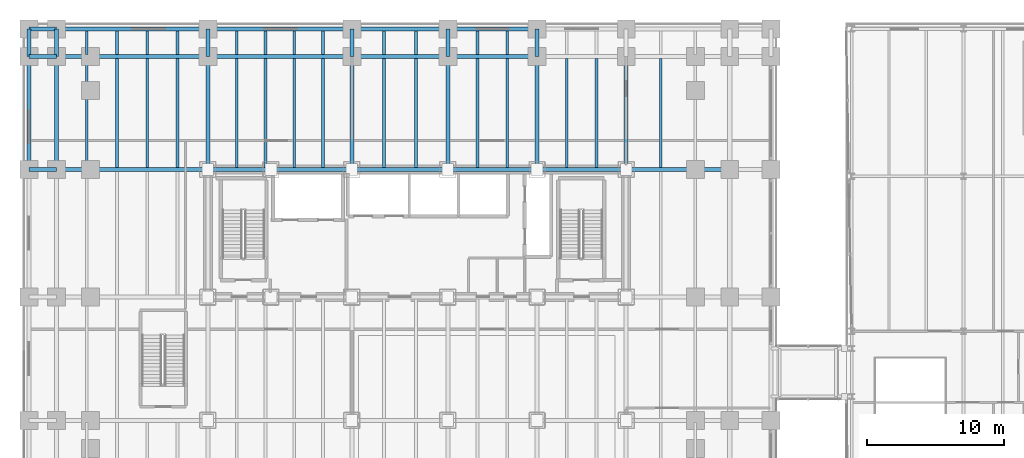
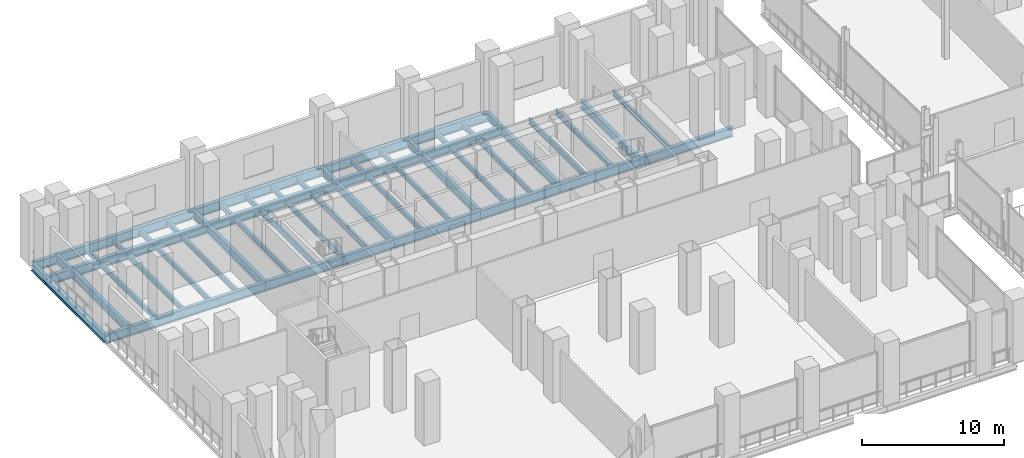
# One storey, part 17 of 31: 57 beams.
"""IFC4 building model written with IfcOpenShell, lengths in metres."""

import ifcopenshell
import ifcopenshell.guid

model = None  # the IFC model being written
_history = None  # IfcOwnerHistory: only IFC2X3 demands one
_inside = {}  # id of a spatial element -> (the spatial element, [elements in it])
_under = {}  # id of a project, library or spatial element -> (it, [spatial elements below it])
_declared = {}  # id of a project -> (the project, [libraries it declares])
_typed = {}  # id of a type object -> (the type object, [elements of that type])
_made_of = {}  # id of a material, layer set ... -> (it, [elements and type objects made of it])


def new_model(schema):
    """Start an empty IFC model of exactly this schema.

    Asked for "IFC4X3", IfcOpenShell would pick the latest addendum, in which some entities
    have other attributes; the version numbers below select the first issue.
    IFC2X3 requires an IfcOwnerHistory on every rooted entity: one is made here for all.
    """
    global model, _history
    if schema == "IFC4X3":
        model = ifcopenshell.file(schema_version=(4, 3, 0, 0))
    else:
        model = ifcopenshell.file(schema=schema)
    _inside.clear()
    _under.clear()
    _declared.clear()
    _typed.clear()
    _made_of.clear()
    _history = None
    if model.schema == "IFC2X3":
        org = make("IfcOrganization", Name="unknown")
        user = make(
            "IfcPersonAndOrganization",
            ThePerson=make("IfcPerson", FamilyName="unknown"),
            TheOrganization=org,
        )
        app = make(
            "IfcApplication",
            ApplicationDeveloper=org,
            Version="unknown",
            ApplicationFullName="unknown",
            ApplicationIdentifier="unknown",
        )
        _history = make(
            "IfcOwnerHistory",
            OwningUser=user,
            OwningApplication=app,
            ChangeAction="ADDED",
            CreationDate=0,
        )
    return model


def make(cls, **values):
    """One entity of the class cls with the attributes given. An attribute that is None is left unset."""
    return model.create_entity(
        cls, **{name: value for name, value in values.items() if value is not None}
    )


def rooted(cls, **values):
    """An entity with a GlobalId (a new one), such as an element, a storey or a relation."""
    return make(cls, GlobalId=ifcopenshell.guid.new(), OwnerHistory=_history, **values)


def si_unit(unit_type, name, prefix=None):
    """IfcSIUnit, for example si_unit("LENGTHUNIT", "METRE", prefix="MILLI")."""
    return make("IfcSIUnit", UnitType=unit_type, Prefix=prefix, Name=name)


def assignment(units):
    """IfcUnitAssignment: the units of a project."""
    return None if units is None else make("IfcUnitAssignment", Units=units)


def point(xyz):
    """IfcCartesianPoint."""
    return None if xyz is None else make("IfcCartesianPoint", Coordinates=xyz)


def direction(xyz):
    """IfcDirection."""
    return None if xyz is None else make("IfcDirection", DirectionRatios=xyz)


def frame(location, z_axis=None, x_axis=None):
    """IfcAxis2Placement3D, a coordinate frame: its origin and axes. An axis left out is left unset."""
    return make(
        "IfcAxis2Placement3D",
        Location=point(location),
        Axis=direction(z_axis),
        RefDirection=direction(x_axis),
    )


def frame_2d(location, x_axis=None):
    """IfcAxis2Placement2D, a coordinate frame in the plane: its origin and x axis."""
    return make(
        "IfcAxis2Placement2D", Location=point(location), RefDirection=direction(x_axis)
    )


def origin():
    """The frame at (0, 0, 0) with its axes left unset."""
    return frame((0.0, 0.0, 0.0))


def origin_2d():
    """The frame at (0, 0) in the plane with its x axis left unset."""
    return frame_2d((0.0, 0.0))


def place(relative_to, where):
    """IfcLocalPlacement: puts the frame where relative to a parent placement (None: the world)."""
    return make(
        "IfcLocalPlacement", PlacementRelTo=relative_to, RelativePlacement=where
    )


def context(
    kind, dimensions, precision=None, world=None, true_north=None, identifier=None
):
    """IfcGeometricRepresentationContext, for example the 3D "Model" context."""
    return make(
        "IfcGeometricRepresentationContext",
        ContextIdentifier=identifier,
        ContextType=kind,
        CoordinateSpaceDimension=dimensions,
        Precision=precision,
        WorldCoordinateSystem=world,
        TrueNorth=true_north,
    )


def subcontext(parent, identifier, kind, view, scale=None):
    """IfcGeometricRepresentationSubContext, for example "Body" below "Model"."""
    return make(
        "IfcGeometricRepresentationSubContext",
        ContextIdentifier=identifier,
        ContextType=kind,
        ParentContext=parent,
        TargetScale=scale,
        TargetView=view,
    )


def project(units=None, contexts=None):
    """IfcProject with its units and contexts."""
    return rooted(
        "IfcProject",
        Name="project",
        RepresentationContexts=contexts,
        UnitsInContext=assignment(units),
    )


def spatial(cls, under=None, at=None, **own):
    """A site, building, storey or space (cls), placed at a placement, below another one or the project."""
    s = rooted(cls, ObjectPlacement=at, **own)
    if under is not None:
        _under.setdefault(under.id(), (under, []))[1].append(s)
    return s


def profile(cls, at=None, kind="AREA", **sizes):
    """A parametric profile (cls). Its sizes go by their IFC names, for example OverallWidth=200.0."""
    return make(cls, ProfileType=kind, Position=at, **sizes)


def i_section(**sizes):
    """IfcIShapeProfileDef."""
    return profile("IfcIShapeProfileDef", **sizes)


def extrude(swept, where, along, depth):
    """IfcExtrudedAreaSolid: the profile swept, set in the frame where, extruded along a direction by depth."""
    return make(
        "IfcExtrudedAreaSolid",
        SweptArea=swept,
        Position=where,
        ExtrudedDirection=direction(along),
        Depth=depth,
    )


def shape(context_of_items, identifier, shape_type, items):
    """IfcShapeRepresentation: the items that make up one representation, for example the "Body"."""
    return make(
        "IfcShapeRepresentation",
        ContextOfItems=context_of_items,
        RepresentationIdentifier=identifier,
        RepresentationType=shape_type,
        Items=items,
    )


def material(Name=None, Category=None):
    """IfcMaterial."""
    return make("IfcMaterial", Name=Name, Category=Category)


def material_profile(
    of_material, cross_section, Name=None, Category=None, Priority=None
):
    """IfcMaterialProfile: a cross section and its material."""
    return make(
        "IfcMaterialProfile",
        Name=Name,
        Material=of_material,
        Profile=cross_section,
        Priority=Priority,
        Category=Category,
    )


def profile_set(profiles, Name=None, composite=None):
    """IfcMaterialProfileSet."""
    return make(
        "IfcMaterialProfileSet",
        Name=Name,
        MaterialProfiles=profiles,
        CompositeProfile=composite,
    )


def made_of(thing, what):
    """Note that an element or type object is made of a material, layer set ...; save() writes the relation."""
    if what is not None:
        _made_of.setdefault(what.id(), (what, []))[1].append(thing)
    return thing


def type_object(cls, material=None, **own):
    """A type object (cls), such as IfcWallType, which elements share."""
    return made_of(rooted(cls, **own), material)


def element(
    cls,
    number,
    at=None,
    inside=None,
    cuts=None,
    type_object=None,
    material=None,
    context=None,
    identifier="Body",
    shape_type=None,
    held_by="IfcProductDefinitionShape",
    body=None,
    shapes=None,
    **own,
):
    """One element of the class cls, such as IfcWall. Its Tag is "e" and its number.

    at: its placement. inside: the storey or other place that contains it. cuts: it is an
    opening in that element (IfcRelVoidsElement). A single representation is given by context,
    identifier, shape_type and body (its items); several are given by shapes. held_by: the class
    of the entity that holds the representations. save() writes the other relations.
    """
    e = rooted(cls, Tag="e%d" % number, ObjectPlacement=at, **own)
    if body is not None:
        shapes = [shape(context, identifier, shape_type, body)]
    if shapes is not None:
        e.Representation = make(held_by, Representations=shapes)
    if inside is not None:
        _inside.setdefault(inside.id(), (inside, []))[1].append(e)
    if cuts is not None:
        rooted(
            "IfcRelVoidsElement", RelatingBuildingElement=cuts, RelatedOpeningElement=e
        )
    if type_object is not None:
        _typed.setdefault(type_object.id(), (type_object, []))[1].append(e)
    return made_of(e, material)


def aggregate(whole, parts):
    """IfcRelAggregates: a whole, such as a stair, and the parts it consists of."""
    return rooted("IfcRelAggregates", RelatingObject=whole, RelatedObjects=parts)


def save(model, path):
    """Write the relations noted so far, then the file.

    IfcRelAggregates (storeys below a building ...), IfcRelContainedInSpatialStructure (elements
    in a storey), IfcRelDefinesByType, IfcRelAssociatesMaterial and IfcRelDeclares: one each for
    every whole, place, type object, material and project.
    """
    for whole, parts in _under.values():
        aggregate(whole, parts)
    for where, things in _inside.values():
        rooted(
            "IfcRelContainedInSpatialStructure",
            RelatedElements=things,
            RelatingStructure=where,
        )
    for kind, things in _typed.values():
        rooted("IfcRelDefinesByType", RelatedObjects=things, RelatingType=kind)
    for what, things in _made_of.values():
        rooted("IfcRelAssociatesMaterial", RelatedObjects=things, RelatingMaterial=what)
    for by, libraries in _declared.values():
        rooted("IfcRelDeclares", RelatingContext=by, RelatedDefinitions=libraries)
    model.write(path)


model = new_model("IFC4")

# Units and contexts
model_context = context("Model", 3, precision=1e-05, world=origin(), true_north=direction((0.0, 1.0)))
body_context = subcontext(model_context, "Body", "Model", "MODEL_VIEW")
ifc_project = project(units=[si_unit("LENGTHUNIT", "METRE"), si_unit("AREAUNIT", "SQUARE_METRE"), si_unit("VOLUMEUNIT", "CUBIC_METRE"), si_unit("PLANEANGLEUNIT", "RADIAN"), si_unit("MASSUNIT", "GRAM", prefix="KILO")], contexts=[model_context])

# Site, building, storey
site_placement = place(None, origin())
site = spatial("IfcSite", under=ifc_project, at=site_placement, CompositionType="ELEMENT")
building_placement = place(site_placement, origin())
building = spatial("IfcBuilding", under=site, at=building_placement, Name="Noeulbin Bourse Tower", CompositionType="ELEMENT")
storey_placement = place(building_placement, frame((0.0, 0.0, 11.199951171875)))
storey = spatial("IfcBuildingStorey", under=building, at=storey_placement, Name="L03", CompositionType="ELEMENT", Elevation=11.199951171875)

# Beams
ifc_material = material(Name="Steel S355", Category="steel")
ifc_material_profile_1 = material_profile(ifc_material, i_section(OverallWidth=0.300048828125, OverallDepth=0.699951171875, WebThickness=0.012939453125, FlangeThickness=0.02392578125, FilletRadius=0.02392578125, at=origin_2d()), Name="H-700x300x13x24", Category="LoadBearing")
ifc_profile_set_1 = profile_set([ifc_material_profile_1], Name="Steel S355")
beam_type_1 = type_object("IfcBeamType", Name="BM-GRD-700", PredefinedType="USERDEFINED", material=ifc_profile_set_1)
beam_1_placement = place(storey_placement, frame((0.449951171875, 38.300048828125, -0.599853515625), z_axis=(0.0, 1.0, 0.0), x_axis=(-1.0, 0.0, 0.0)))
element("IfcBeam", 1, at=beam_1_placement, inside=storey, type_object=beam_type_1, Name="Podium Primary Girder NS L03-061", ObjectType="GIRDER", PredefinedType="USERDEFINED", context=body_context, shape_type="SweptSolid", body=[
    extrude(i_section(OverallWidth=0.300048828125, OverallDepth=0.699951171875, WebThickness=0.012939453125, FlangeThickness=0.02392578125, FilletRadius=0.02392578125, at=origin_2d()), origin(), (0.0, 0.0, 1.0), 8.25),
])
beam_2_placement = place(storey_placement, frame((0.449951171875, 46.550048828125, -0.599853515625), z_axis=(0.0, 1.0, 0.0), x_axis=(-1.0, 0.0, 0.0)))
element("IfcBeam", 2, at=beam_2_placement, inside=storey, type_object=beam_type_1, Name="Podium Primary Girder NS L03-062", ObjectType="GIRDER", PredefinedType="USERDEFINED", context=body_context, shape_type="SweptSolid", body=[
    extrude(i_section(OverallWidth=0.300048828125, OverallDepth=0.699951171875, WebThickness=0.012939453125, FlangeThickness=0.02392578125, FilletRadius=0.02392578125, at=origin_2d()), origin(), (0.0, 0.0, 1.0), 2.0),
])
beam_3_placement = place(storey_placement, frame((2.449951171875, 38.300048828125, -0.599853515625), z_axis=(0.0, 1.0, 0.0), x_axis=(-1.0, 0.0, 0.0)))
element("IfcBeam", 3, at=beam_3_placement, inside=storey, type_object=beam_type_1, Name="Podium Primary Girder NS L03-067", ObjectType="GIRDER", PredefinedType="USERDEFINED", context=body_context, shape_type="SweptSolid", body=[
    extrude(i_section(OverallWidth=0.300048828125, OverallDepth=0.699951171875, WebThickness=0.012939453125, FlangeThickness=0.02392578125, FilletRadius=0.02392578125, at=origin_2d()), origin(), (0.0, 0.0, 1.0), 8.25),
])
beam_4_placement = place(storey_placement, frame((2.449951171875, 46.550048828125, -0.599853515625), z_axis=(0.0, 1.0, 0.0), x_axis=(-1.0, 0.0, 0.0)))
element("IfcBeam", 4, at=beam_4_placement, inside=storey, type_object=beam_type_1, Name="Podium Primary Girder NS L03-068", ObjectType="GIRDER", PredefinedType="USERDEFINED", context=body_context, shape_type="SweptSolid", body=[
    extrude(i_section(OverallWidth=0.300048828125, OverallDepth=0.699951171875, WebThickness=0.012939453125, FlangeThickness=0.02392578125, FilletRadius=0.02392578125, at=origin_2d()), origin(), (0.0, 0.0, 1.0), 2.0),
])
beam_5_placement = place(storey_placement, frame((13.5, 38.300048828125, -0.599853515625), z_axis=(0.0, 1.0, 0.0), x_axis=(-1.0, 0.0, 0.0)))
element("IfcBeam", 5, at=beam_5_placement, inside=storey, type_object=beam_type_1, Name="Podium Primary Girder NS L03-073", ObjectType="GIRDER", PredefinedType="USERDEFINED", context=body_context, shape_type="SweptSolid", body=[
    extrude(i_section(OverallWidth=0.300048828125, OverallDepth=0.699951171875, WebThickness=0.012939453125, FlangeThickness=0.02392578125, FilletRadius=0.02392578125, at=origin_2d()), origin(), (0.0, 0.0, 1.0), 8.25),
])
beam_6_placement = place(storey_placement, frame((13.5, 46.550048828125, -0.599853515625), z_axis=(0.0, 1.0, 0.0), x_axis=(-1.0, 0.0, 0.0)))
element("IfcBeam", 6, at=beam_6_placement, inside=storey, type_object=beam_type_1, Name="Podium Primary Girder NS L03-074", ObjectType="GIRDER", PredefinedType="USERDEFINED", context=body_context, shape_type="SweptSolid", body=[
    extrude(i_section(OverallWidth=0.300048828125, OverallDepth=0.699951171875, WebThickness=0.012939453125, FlangeThickness=0.02392578125, FilletRadius=0.02392578125, at=origin_2d()), origin(), (0.0, 0.0, 1.0), 2.0),
])
beam_7_placement = place(storey_placement, frame((24.0, 38.300048828125, -0.599853515625), z_axis=(0.0, 1.0, 0.0), x_axis=(-1.0, 0.0, 0.0)))
element("IfcBeam", 7, at=beam_7_placement, inside=storey, type_object=beam_type_1, Name="Podium Primary Girder NS L03-078", ObjectType="GIRDER", PredefinedType="USERDEFINED", context=body_context, shape_type="SweptSolid", body=[
    extrude(i_section(OverallWidth=0.300048828125, OverallDepth=0.699951171875, WebThickness=0.012939453125, FlangeThickness=0.02392578125, FilletRadius=0.02392578125, at=origin_2d()), origin(), (0.0, 0.0, 1.0), 8.25),
])
beam_8_placement = place(storey_placement, frame((24.0, 46.550048828125, -0.599853515625), z_axis=(0.0, 1.0, 0.0), x_axis=(-1.0, 0.0, 0.0)))
element("IfcBeam", 8, at=beam_8_placement, inside=storey, type_object=beam_type_1, Name="Podium Primary Girder NS L03-079", ObjectType="GIRDER", PredefinedType="USERDEFINED", context=body_context, shape_type="SweptSolid", body=[
    extrude(i_section(OverallWidth=0.300048828125, OverallDepth=0.699951171875, WebThickness=0.012939453125, FlangeThickness=0.02392578125, FilletRadius=0.02392578125, at=origin_2d()), origin(), (0.0, 0.0, 1.0), 2.0),
])
beam_9_placement = place(storey_placement, frame((31.0, 38.300048828125, -0.599853515625), z_axis=(0.0, 1.0, 0.0), x_axis=(-1.0, 0.0, 0.0)))
element("IfcBeam", 9, at=beam_9_placement, inside=storey, type_object=beam_type_1, Name="Podium Primary Girder NS L03-083", ObjectType="GIRDER", PredefinedType="USERDEFINED", context=body_context, shape_type="SweptSolid", body=[
    extrude(i_section(OverallWidth=0.300048828125, OverallDepth=0.699951171875, WebThickness=0.012939453125, FlangeThickness=0.02392578125, FilletRadius=0.02392578125, at=origin_2d()), origin(), (0.0, 0.0, 1.0), 8.25),
])
beam_10_placement = place(storey_placement, frame((31.0, 46.550048828125, -0.599853515625), z_axis=(0.0, 1.0, 0.0), x_axis=(-1.0, 0.0, 0.0)))
element("IfcBeam", 10, at=beam_10_placement, inside=storey, type_object=beam_type_1, Name="Podium Primary Girder NS L03-084", ObjectType="GIRDER", PredefinedType="USERDEFINED", context=body_context, shape_type="SweptSolid", body=[
    extrude(i_section(OverallWidth=0.300048828125, OverallDepth=0.699951171875, WebThickness=0.012939453125, FlangeThickness=0.02392578125, FilletRadius=0.02392578125, at=origin_2d()), origin(), (0.0, 0.0, 1.0), 2.0),
])
beam_11_placement = place(storey_placement, frame((37.5, 38.300048828125, -0.599853515625), z_axis=(0.0, 1.0, 0.0), x_axis=(-1.0, 0.0, 0.0)))
element("IfcBeam", 11, at=beam_11_placement, inside=storey, type_object=beam_type_1, Name="Podium Primary Girder NS L03-088", ObjectType="GIRDER", PredefinedType="USERDEFINED", context=body_context, shape_type="SweptSolid", body=[
    extrude(i_section(OverallWidth=0.300048828125, OverallDepth=0.699951171875, WebThickness=0.012939453125, FlangeThickness=0.02392578125, FilletRadius=0.02392578125, at=origin_2d()), origin(), (0.0, 0.0, 1.0), 8.25),
])
beam_12_placement = place(storey_placement, frame((37.5, 46.550048828125, -0.599853515625), z_axis=(0.0, 1.0, 0.0), x_axis=(-1.0, 0.0, 0.0)))
element("IfcBeam", 12, at=beam_12_placement, inside=storey, type_object=beam_type_1, Name="Podium Primary Girder NS L03-089", ObjectType="GIRDER", PredefinedType="USERDEFINED", context=body_context, shape_type="SweptSolid", body=[
    extrude(i_section(OverallWidth=0.300048828125, OverallDepth=0.699951171875, WebThickness=0.012939453125, FlangeThickness=0.02392578125, FilletRadius=0.02392578125, at=origin_2d()), origin(), (0.0, 0.0, 1.0), 2.0),
])
beam_13_placement = place(storey_placement, frame((44.0, 38.300048828125, -0.599853515625), z_axis=(0.0, 1.0, 0.0), x_axis=(-1.0, 0.0, 0.0)))
element("IfcBeam", 13, at=beam_13_placement, inside=storey, type_object=beam_type_1, Name="Podium Primary Girder NS L03-094", ObjectType="GIRDER", PredefinedType="USERDEFINED", context=body_context, shape_type="SweptSolid", body=[
    extrude(i_section(OverallWidth=0.300048828125, OverallDepth=0.699951171875, WebThickness=0.012939453125, FlangeThickness=0.02392578125, FilletRadius=0.02392578125, at=origin_2d()), origin(), (0.0, 0.0, 1.0), 8.25),
])
ifc_material_profile_2 = material_profile(ifc_material, i_section(OverallWidth=0.300048828125, OverallDepth=0.800048828125, WebThickness=0.013916015625, FlangeThickness=0.02587890625, FilletRadius=0.02587890625, at=origin_2d()), Name="H-800x300x14x26", Category="LoadBearing")
ifc_profile_set_2 = profile_set([ifc_material_profile_2], Name="Steel S355")
beam_type_2 = type_object("IfcBeamType", Name="BM-GRD-800", PredefinedType="USERDEFINED", material=ifc_profile_set_2)
beam_14_placement = place(storey_placement, frame((0.449951171875, 38.300048828125, -0.64990234375), z_axis=(1.0, 0.0, 0.0), x_axis=(0.0, 1.0, 0.0)))
element("IfcBeam", 14, at=beam_14_placement, inside=storey, type_object=beam_type_2, Name="Podium Primary Girder EW L03-033", ObjectType="GIRDER", PredefinedType="USERDEFINED", context=body_context, shape_type="SweptSolid", body=[
    extrude(i_section(OverallWidth=0.300048828125, OverallDepth=0.800048828125, WebThickness=0.013916015625, FlangeThickness=0.02587890625, FilletRadius=0.02587890625, at=origin_2d()), origin(), (0.0, 0.0, 1.0), 2.0),
])
beam_15_placement = place(storey_placement, frame((2.449951171875, 38.300048828125, -0.64990234375), z_axis=(1.0, 0.0, 0.0), x_axis=(0.0, 1.0, 0.0)))
element("IfcBeam", 15, at=beam_15_placement, inside=storey, type_object=beam_type_2, Name="Podium Primary Girder EW L03-034", ObjectType="GIRDER", PredefinedType="USERDEFINED", context=body_context, shape_type="SweptSolid", body=[
    extrude(i_section(OverallWidth=0.300048828125, OverallDepth=0.800048828125, WebThickness=0.013916015625, FlangeThickness=0.02587890625, FilletRadius=0.02587890625, at=origin_2d()), origin(), (0.0, 0.0, 1.0), 11.050048828125),
])
beam_16_placement = place(storey_placement, frame((13.5, 38.300048828125, -0.64990234375), z_axis=(1.0, 0.0, 0.0), x_axis=(0.0, 1.0, 0.0)))
element("IfcBeam", 16, at=beam_16_placement, inside=storey, type_object=beam_type_2, Name="Podium Primary Girder EW L03-035", ObjectType="GIRDER", PredefinedType="USERDEFINED", context=body_context, shape_type="SweptSolid", body=[
    extrude(i_section(OverallWidth=0.300048828125, OverallDepth=0.800048828125, WebThickness=0.013916015625, FlangeThickness=0.02587890625, FilletRadius=0.02587890625, at=origin_2d()), origin(), (0.0, 0.0, 1.0), 10.5),
])
beam_17_placement = place(storey_placement, frame((24.0, 38.300048828125, -0.64990234375), z_axis=(1.0, 0.0, 0.0), x_axis=(0.0, 1.0, 0.0)))
element("IfcBeam", 17, at=beam_17_placement, inside=storey, type_object=beam_type_2, Name="Podium Primary Girder EW L03-036", ObjectType="GIRDER", PredefinedType="USERDEFINED", context=body_context, shape_type="SweptSolid", body=[
    extrude(i_section(OverallWidth=0.300048828125, OverallDepth=0.800048828125, WebThickness=0.013916015625, FlangeThickness=0.02587890625, FilletRadius=0.02587890625, at=origin_2d()), origin(), (0.0, 0.0, 1.0), 7.0),
])
for number, where, z_axis, x_axis, name in (
    (18, (31.0, 38.300048828125, -0.64990234375), (1.0, 0.0, 0.0), (0.0, 1.0, 0.0), "Podium Primary Girder EW L03-037"),
    (19, (37.5, 38.300048828125, -0.64990234375), (1.0, 0.0, 0.0), (0.0, 1.0, 0.0), "Podium Primary Girder EW L03-038"),
):
    element("IfcBeam", number, at=place(storey_placement, frame(where, z_axis=z_axis, x_axis=x_axis)), inside=storey, type_object=beam_type_2, Name=name, ObjectType="GIRDER", PredefinedType="USERDEFINED", context=body_context, shape_type="SweptSolid", body=[
        extrude(i_section(OverallWidth=0.300048828125, OverallDepth=0.800048828125, WebThickness=0.013916015625, FlangeThickness=0.02587890625, FilletRadius=0.02587890625, at=origin_2d()), origin(), (0.0, 0.0, 1.0), 6.5),
    ])
beam_18_placement = place(storey_placement, frame((44.0, 38.300048828125, -0.64990234375), z_axis=(1.0, 0.0, 0.0), x_axis=(0.0, 1.0, 0.0)))
element("IfcBeam", 20, at=beam_18_placement, inside=storey, type_object=beam_type_2, Name="Podium Primary Girder EW L03-039", ObjectType="GIRDER", PredefinedType="USERDEFINED", context=body_context, shape_type="SweptSolid", body=[
    extrude(i_section(OverallWidth=0.300048828125, OverallDepth=0.800048828125, WebThickness=0.013916015625, FlangeThickness=0.02587890625, FilletRadius=0.02587890625, at=origin_2d()), origin(), (0.0, 0.0, 1.0), 7.550048828125),
])
beam_19_placement = place(storey_placement, frame((0.449951171875, 46.550048828125, -0.64990234375), z_axis=(1.0, 0.0, 0.0), x_axis=(0.0, 1.0, 0.0)))
element("IfcBeam", 21, at=beam_19_placement, inside=storey, type_object=beam_type_2, Name="Podium Primary Girder EW L03-041", ObjectType="GIRDER", PredefinedType="USERDEFINED", context=body_context, shape_type="SweptSolid", body=[
    extrude(i_section(OverallWidth=0.300048828125, OverallDepth=0.800048828125, WebThickness=0.013916015625, FlangeThickness=0.02587890625, FilletRadius=0.02587890625, at=origin_2d()), origin(), (0.0, 0.0, 1.0), 2.0),
])
beam_20_placement = place(storey_placement, frame((2.449951171875, 46.550048828125, -0.64990234375), z_axis=(1.0, 0.0, 0.0), x_axis=(0.0, 1.0, 0.0)))
element("IfcBeam", 22, at=beam_20_placement, inside=storey, type_object=beam_type_2, Name="Podium Primary Girder EW L03-042", ObjectType="GIRDER", PredefinedType="USERDEFINED", context=body_context, shape_type="SweptSolid", body=[
    extrude(i_section(OverallWidth=0.300048828125, OverallDepth=0.800048828125, WebThickness=0.013916015625, FlangeThickness=0.02587890625, FilletRadius=0.02587890625, at=origin_2d()), origin(), (0.0, 0.0, 1.0), 11.050048828125),
])
beam_21_placement = place(storey_placement, frame((13.5, 46.550048828125, -0.64990234375), z_axis=(1.0, 0.0, 0.0), x_axis=(0.0, 1.0, 0.0)))
element("IfcBeam", 23, at=beam_21_placement, inside=storey, type_object=beam_type_2, Name="Podium Primary Girder EW L03-043", ObjectType="GIRDER", PredefinedType="USERDEFINED", context=body_context, shape_type="SweptSolid", body=[
    extrude(i_section(OverallWidth=0.300048828125, OverallDepth=0.800048828125, WebThickness=0.013916015625, FlangeThickness=0.02587890625, FilletRadius=0.02587890625, at=origin_2d()), origin(), (0.0, 0.0, 1.0), 10.5),
])
beam_22_placement = place(storey_placement, frame((24.0, 46.550048828125, -0.64990234375), z_axis=(1.0, 0.0, 0.0), x_axis=(0.0, 1.0, 0.0)))
element("IfcBeam", 24, at=beam_22_placement, inside=storey, type_object=beam_type_2, Name="Podium Primary Girder EW L03-044", ObjectType="GIRDER", PredefinedType="USERDEFINED", context=body_context, shape_type="SweptSolid", body=[
    extrude(i_section(OverallWidth=0.300048828125, OverallDepth=0.800048828125, WebThickness=0.013916015625, FlangeThickness=0.02587890625, FilletRadius=0.02587890625, at=origin_2d()), origin(), (0.0, 0.0, 1.0), 7.0),
])
beam_23_placement = place(storey_placement, frame((31.0, 46.550048828125, -0.64990234375), z_axis=(1.0, 0.0, 0.0), x_axis=(0.0, 1.0, 0.0)))
element("IfcBeam", 25, at=beam_23_placement, inside=storey, type_object=beam_type_2, Name="Podium Primary Girder EW L03-045", ObjectType="GIRDER", PredefinedType="USERDEFINED", context=body_context, shape_type="SweptSolid", body=[
    extrude(i_section(OverallWidth=0.300048828125, OverallDepth=0.800048828125, WebThickness=0.013916015625, FlangeThickness=0.02587890625, FilletRadius=0.02587890625, at=origin_2d()), origin(), (0.0, 0.0, 1.0), 6.5),
])
beam_24_placement = place(storey_placement, frame((0.449951171875, 48.550048828125, -0.64990234375), z_axis=(1.0, 0.0, 0.0), x_axis=(0.0, 1.0, 0.0)))
element("IfcBeam", 26, at=beam_24_placement, inside=storey, type_object=beam_type_2, Name="Podium Primary Girder EW L03-049", ObjectType="GIRDER", PredefinedType="USERDEFINED", context=body_context, shape_type="SweptSolid", body=[
    extrude(i_section(OverallWidth=0.300048828125, OverallDepth=0.800048828125, WebThickness=0.013916015625, FlangeThickness=0.02587890625, FilletRadius=0.02587890625, at=origin_2d()), origin(), (0.0, 0.0, 1.0), 2.0),
])
beam_25_placement = place(storey_placement, frame((2.449951171875, 48.550048828125, -0.64990234375), z_axis=(1.0, 0.0, 0.0), x_axis=(0.0, 1.0, 0.0)))
element("IfcBeam", 27, at=beam_25_placement, inside=storey, type_object=beam_type_2, Name="Podium Primary Girder EW L03-050", ObjectType="GIRDER", PredefinedType="USERDEFINED", context=body_context, shape_type="SweptSolid", body=[
    extrude(i_section(OverallWidth=0.300048828125, OverallDepth=0.800048828125, WebThickness=0.013916015625, FlangeThickness=0.02587890625, FilletRadius=0.02587890625, at=origin_2d()), origin(), (0.0, 0.0, 1.0), 11.050048828125),
])
beam_26_placement = place(storey_placement, frame((13.5, 48.550048828125, -0.64990234375), z_axis=(1.0, 0.0, 0.0), x_axis=(0.0, 1.0, 0.0)))
element("IfcBeam", 28, at=beam_26_placement, inside=storey, type_object=beam_type_2, Name="Podium Primary Girder EW L03-051", ObjectType="GIRDER", PredefinedType="USERDEFINED", context=body_context, shape_type="SweptSolid", body=[
    extrude(i_section(OverallWidth=0.300048828125, OverallDepth=0.800048828125, WebThickness=0.013916015625, FlangeThickness=0.02587890625, FilletRadius=0.02587890625, at=origin_2d()), origin(), (0.0, 0.0, 1.0), 10.5),
])
beam_27_placement = place(storey_placement, frame((24.0, 48.550048828125, -0.64990234375), z_axis=(1.0, 0.0, 0.0), x_axis=(0.0, 1.0, 0.0)))
element("IfcBeam", 29, at=beam_27_placement, inside=storey, type_object=beam_type_2, Name="Podium Primary Girder EW L03-052", ObjectType="GIRDER", PredefinedType="USERDEFINED", context=body_context, shape_type="SweptSolid", body=[
    extrude(i_section(OverallWidth=0.300048828125, OverallDepth=0.800048828125, WebThickness=0.013916015625, FlangeThickness=0.02587890625, FilletRadius=0.02587890625, at=origin_2d()), origin(), (0.0, 0.0, 1.0), 7.0),
])
beam_28_placement = place(storey_placement, frame((31.0, 48.550048828125, -0.64990234375), z_axis=(1.0, 0.0, 0.0), x_axis=(0.0, 1.0, 0.0)))
element("IfcBeam", 30, at=beam_28_placement, inside=storey, type_object=beam_type_2, Name="Podium Primary Girder EW L03-053", ObjectType="GIRDER", PredefinedType="USERDEFINED", context=body_context, shape_type="SweptSolid", body=[
    extrude(i_section(OverallWidth=0.300048828125, OverallDepth=0.800048828125, WebThickness=0.013916015625, FlangeThickness=0.02587890625, FilletRadius=0.02587890625, at=origin_2d()), origin(), (0.0, 0.0, 1.0), 6.5),
])
ifc_material_profile_3 = material_profile(ifc_material, i_section(OverallWidth=0.199951171875, OverallDepth=0.449951171875, WebThickness=0.009033203125, FlangeThickness=0.013916015625, FilletRadius=0.01806640625, at=origin_2d()), Name="H-450x200x9x14", Category="LoadBearing")
ifc_profile_set_3 = profile_set([ifc_material_profile_3], Name="Steel S355")
beam_type_3 = type_object("IfcBeamType", Name="BM-SEC-450", PredefinedType="BEAM", material=ifc_profile_set_3)
beam_29_placement = place(storey_placement, frame((4.659912109375, 38.449951171875, -0.474853515625), z_axis=(0.0, 1.0, 0.0), x_axis=(-1.0, 0.0, 0.0)))
element("IfcBeam", 31, at=beam_29_placement, inside=storey, type_object=beam_type_3, Name="Podium Secondary Beam L03-005", PredefinedType="BEAM", context=body_context, shape_type="SweptSolid", body=[
    extrude(i_section(OverallWidth=0.199951171875, OverallDepth=0.449951171875, WebThickness=0.009033203125, FlangeThickness=0.013916015625, FilletRadius=0.01806640625, at=origin_2d()), origin(), (0.0, 0.0, 1.0), 7.949951171875),
])
beam_30_placement = place(storey_placement, frame((4.659912109375, 46.699951171875, -0.474853515625), z_axis=(0.0, 1.0, 0.0), x_axis=(-1.0, 0.0, 0.0)))
element("IfcBeam", 32, at=beam_30_placement, inside=storey, type_object=beam_type_3, Name="Podium Secondary Beam L03-006", PredefinedType="BEAM", context=body_context, shape_type="SweptSolid", body=[
    extrude(i_section(OverallWidth=0.199951171875, OverallDepth=0.449951171875, WebThickness=0.009033203125, FlangeThickness=0.013916015625, FilletRadius=0.01806640625, at=origin_2d()), origin(), (0.0, 0.0, 1.0), 1.699951171875),
])
beam_31_placement = place(storey_placement, frame((6.8701171875, 38.449951171875, -0.474853515625), z_axis=(0.0, 1.0, 0.0), x_axis=(-1.0, 0.0, 0.0)))
element("IfcBeam", 33, at=beam_31_placement, inside=storey, type_object=beam_type_3, Name="Podium Secondary Beam L03-011", PredefinedType="BEAM", context=body_context, shape_type="SweptSolid", body=[
    extrude(i_section(OverallWidth=0.199951171875, OverallDepth=0.449951171875, WebThickness=0.009033203125, FlangeThickness=0.013916015625, FilletRadius=0.01806640625, at=origin_2d()), origin(), (0.0, 0.0, 1.0), 7.949951171875),
])
beam_32_placement = place(storey_placement, frame((6.8701171875, 46.699951171875, -0.474853515625), z_axis=(0.0, 1.0, 0.0), x_axis=(-1.0, 0.0, 0.0)))
element("IfcBeam", 34, at=beam_32_placement, inside=storey, type_object=beam_type_3, Name="Podium Secondary Beam L03-012", PredefinedType="BEAM", context=body_context, shape_type="SweptSolid", body=[
    extrude(i_section(OverallWidth=0.199951171875, OverallDepth=0.449951171875, WebThickness=0.009033203125, FlangeThickness=0.013916015625, FilletRadius=0.01806640625, at=origin_2d()), origin(), (0.0, 0.0, 1.0), 1.699951171875),
])
beam_33_placement = place(storey_placement, frame((9.080078125, 38.449951171875, -0.474853515625), z_axis=(0.0, 1.0, 0.0), x_axis=(-1.0, 0.0, 0.0)))
element("IfcBeam", 35, at=beam_33_placement, inside=storey, type_object=beam_type_3, Name="Podium Secondary Beam L03-016", PredefinedType="BEAM", context=body_context, shape_type="SweptSolid", body=[
    extrude(i_section(OverallWidth=0.199951171875, OverallDepth=0.449951171875, WebThickness=0.009033203125, FlangeThickness=0.013916015625, FilletRadius=0.01806640625, at=origin_2d()), origin(), (0.0, 0.0, 1.0), 7.949951171875),
])
beam_34_placement = place(storey_placement, frame((9.080078125, 46.699951171875, -0.474853515625), z_axis=(0.0, 1.0, 0.0), x_axis=(-1.0, 0.0, 0.0)))
element("IfcBeam", 36, at=beam_34_placement, inside=storey, type_object=beam_type_3, Name="Podium Secondary Beam L03-017", PredefinedType="BEAM", context=body_context, shape_type="SweptSolid", body=[
    extrude(i_section(OverallWidth=0.199951171875, OverallDepth=0.449951171875, WebThickness=0.009033203125, FlangeThickness=0.013916015625, FilletRadius=0.01806640625, at=origin_2d()), origin(), (0.0, 0.0, 1.0), 1.699951171875),
])
beam_35_placement = place(storey_placement, frame((11.2900390625, 38.449951171875, -0.474853515625), z_axis=(0.0, 1.0, 0.0), x_axis=(-1.0, 0.0, 0.0)))
element("IfcBeam", 37, at=beam_35_placement, inside=storey, type_object=beam_type_3, Name="Podium Secondary Beam L03-021", PredefinedType="BEAM", context=body_context, shape_type="SweptSolid", body=[
    extrude(i_section(OverallWidth=0.199951171875, OverallDepth=0.449951171875, WebThickness=0.009033203125, FlangeThickness=0.013916015625, FilletRadius=0.01806640625, at=origin_2d()), origin(), (0.0, 0.0, 1.0), 7.949951171875),
])
beam_36_placement = place(storey_placement, frame((11.2900390625, 46.699951171875, -0.474853515625), z_axis=(0.0, 1.0, 0.0), x_axis=(-1.0, 0.0, 0.0)))
element("IfcBeam", 38, at=beam_36_placement, inside=storey, type_object=beam_type_3, Name="Podium Secondary Beam L03-022", PredefinedType="BEAM", context=body_context, shape_type="SweptSolid", body=[
    extrude(i_section(OverallWidth=0.199951171875, OverallDepth=0.449951171875, WebThickness=0.009033203125, FlangeThickness=0.013916015625, FilletRadius=0.01806640625, at=origin_2d()), origin(), (0.0, 0.0, 1.0), 1.699951171875),
])
beam_37_placement = place(storey_placement, frame((15.60009765625, 38.449951171875, -0.474853515625), z_axis=(0.0, 1.0, 0.0), x_axis=(-1.0, 0.0, 0.0)))
element("IfcBeam", 39, at=beam_37_placement, inside=storey, type_object=beam_type_3, Name="Podium Secondary Beam L03-026", PredefinedType="BEAM", context=body_context, shape_type="SweptSolid", body=[
    extrude(i_section(OverallWidth=0.199951171875, OverallDepth=0.449951171875, WebThickness=0.009033203125, FlangeThickness=0.013916015625, FilletRadius=0.01806640625, at=origin_2d()), origin(), (0.0, 0.0, 1.0), 7.949951171875),
])
beam_38_placement = place(storey_placement, frame((15.60009765625, 46.699951171875, -0.474853515625), z_axis=(0.0, 1.0, 0.0), x_axis=(-1.0, 0.0, 0.0)))
element("IfcBeam", 40, at=beam_38_placement, inside=storey, type_object=beam_type_3, Name="Podium Secondary Beam L03-027", PredefinedType="BEAM", context=body_context, shape_type="SweptSolid", body=[
    extrude(i_section(OverallWidth=0.199951171875, OverallDepth=0.449951171875, WebThickness=0.009033203125, FlangeThickness=0.013916015625, FilletRadius=0.01806640625, at=origin_2d()), origin(), (0.0, 0.0, 1.0), 1.699951171875),
])
beam_39_placement = place(storey_placement, frame((17.699951171875, 38.449951171875, -0.474853515625), z_axis=(0.0, 1.0, 0.0), x_axis=(-1.0, 0.0, 0.0)))
element("IfcBeam", 41, at=beam_39_placement, inside=storey, type_object=beam_type_3, Name="Podium Secondary Beam L03-031", PredefinedType="BEAM", context=body_context, shape_type="SweptSolid", body=[
    extrude(i_section(OverallWidth=0.199951171875, OverallDepth=0.449951171875, WebThickness=0.009033203125, FlangeThickness=0.013916015625, FilletRadius=0.01806640625, at=origin_2d()), origin(), (0.0, 0.0, 1.0), 7.949951171875),
])
beam_40_placement = place(storey_placement, frame((17.699951171875, 46.699951171875, -0.474853515625), z_axis=(0.0, 1.0, 0.0), x_axis=(-1.0, 0.0, 0.0)))
element("IfcBeam", 42, at=beam_40_placement, inside=storey, type_object=beam_type_3, Name="Podium Secondary Beam L03-032", PredefinedType="BEAM", context=body_context, shape_type="SweptSolid", body=[
    extrude(i_section(OverallWidth=0.199951171875, OverallDepth=0.449951171875, WebThickness=0.009033203125, FlangeThickness=0.013916015625, FilletRadius=0.01806640625, at=origin_2d()), origin(), (0.0, 0.0, 1.0), 1.699951171875),
])
beam_41_placement = place(storey_placement, frame((19.800048828125, 38.449951171875, -0.474853515625), z_axis=(0.0, 1.0, 0.0), x_axis=(-1.0, 0.0, 0.0)))
element("IfcBeam", 43, at=beam_41_placement, inside=storey, type_object=beam_type_3, Name="Podium Secondary Beam L03-036", PredefinedType="BEAM", context=body_context, shape_type="SweptSolid", body=[
    extrude(i_section(OverallWidth=0.199951171875, OverallDepth=0.449951171875, WebThickness=0.009033203125, FlangeThickness=0.013916015625, FilletRadius=0.01806640625, at=origin_2d()), origin(), (0.0, 0.0, 1.0), 7.949951171875),
])
beam_42_placement = place(storey_placement, frame((19.800048828125, 46.699951171875, -0.474853515625), z_axis=(0.0, 1.0, 0.0), x_axis=(-1.0, 0.0, 0.0)))
element("IfcBeam", 44, at=beam_42_placement, inside=storey, type_object=beam_type_3, Name="Podium Secondary Beam L03-037", PredefinedType="BEAM", context=body_context, shape_type="SweptSolid", body=[
    extrude(i_section(OverallWidth=0.199951171875, OverallDepth=0.449951171875, WebThickness=0.009033203125, FlangeThickness=0.013916015625, FilletRadius=0.01806640625, at=origin_2d()), origin(), (0.0, 0.0, 1.0), 1.699951171875),
])
beam_43_placement = place(storey_placement, frame((21.89990234375, 38.449951171875, -0.474853515625), z_axis=(0.0, 1.0, 0.0), x_axis=(-1.0, 0.0, 0.0)))
element("IfcBeam", 45, at=beam_43_placement, inside=storey, type_object=beam_type_3, Name="Podium Secondary Beam L03-041", PredefinedType="BEAM", context=body_context, shape_type="SweptSolid", body=[
    extrude(i_section(OverallWidth=0.199951171875, OverallDepth=0.449951171875, WebThickness=0.009033203125, FlangeThickness=0.013916015625, FilletRadius=0.01806640625, at=origin_2d()), origin(), (0.0, 0.0, 1.0), 7.949951171875),
])
beam_44_placement = place(storey_placement, frame((21.89990234375, 46.699951171875, -0.474853515625), z_axis=(0.0, 1.0, 0.0), x_axis=(-1.0, 0.0, 0.0)))
element("IfcBeam", 46, at=beam_44_placement, inside=storey, type_object=beam_type_3, Name="Podium Secondary Beam L03-042", PredefinedType="BEAM", context=body_context, shape_type="SweptSolid", body=[
    extrude(i_section(OverallWidth=0.199951171875, OverallDepth=0.449951171875, WebThickness=0.009033203125, FlangeThickness=0.013916015625, FilletRadius=0.01806640625, at=origin_2d()), origin(), (0.0, 0.0, 1.0), 1.699951171875),
])
beam_45_placement = place(storey_placement, frame((26.333251953125, 38.449951171875, -0.474853515625), z_axis=(0.0, 1.0, 0.0), x_axis=(-1.0, 0.0, 0.0)))
element("IfcBeam", 47, at=beam_45_placement, inside=storey, type_object=beam_type_3, Name="Podium Secondary Beam L03-046", PredefinedType="BEAM", context=body_context, shape_type="SweptSolid", body=[
    extrude(i_section(OverallWidth=0.199951171875, OverallDepth=0.449951171875, WebThickness=0.009033203125, FlangeThickness=0.013916015625, FilletRadius=0.01806640625, at=origin_2d()), origin(), (0.0, 0.0, 1.0), 7.949951171875),
])
beam_46_placement = place(storey_placement, frame((26.333251953125, 46.699951171875, -0.474853515625), z_axis=(0.0, 1.0, 0.0), x_axis=(-1.0, 0.0, 0.0)))
element("IfcBeam", 48, at=beam_46_placement, inside=storey, type_object=beam_type_3, Name="Podium Secondary Beam L03-047", PredefinedType="BEAM", context=body_context, shape_type="SweptSolid", body=[
    extrude(i_section(OverallWidth=0.199951171875, OverallDepth=0.449951171875, WebThickness=0.009033203125, FlangeThickness=0.013916015625, FilletRadius=0.01806640625, at=origin_2d()), origin(), (0.0, 0.0, 1.0), 1.699951171875),
])
beam_47_placement = place(storey_placement, frame((28.666748046875, 38.449951171875, -0.474853515625), z_axis=(0.0, 1.0, 0.0), x_axis=(-1.0, 0.0, 0.0)))
element("IfcBeam", 49, at=beam_47_placement, inside=storey, type_object=beam_type_3, Name="Podium Secondary Beam L03-051", PredefinedType="BEAM", context=body_context, shape_type="SweptSolid", body=[
    extrude(i_section(OverallWidth=0.199951171875, OverallDepth=0.449951171875, WebThickness=0.009033203125, FlangeThickness=0.013916015625, FilletRadius=0.01806640625, at=origin_2d()), origin(), (0.0, 0.0, 1.0), 7.949951171875),
])
beam_48_placement = place(storey_placement, frame((28.666748046875, 46.699951171875, -0.474853515625), z_axis=(0.0, 1.0, 0.0), x_axis=(-1.0, 0.0, 0.0)))
element("IfcBeam", 50, at=beam_48_placement, inside=storey, type_object=beam_type_3, Name="Podium Secondary Beam L03-052", PredefinedType="BEAM", context=body_context, shape_type="SweptSolid", body=[
    extrude(i_section(OverallWidth=0.199951171875, OverallDepth=0.449951171875, WebThickness=0.009033203125, FlangeThickness=0.013916015625, FilletRadius=0.01806640625, at=origin_2d()), origin(), (0.0, 0.0, 1.0), 1.699951171875),
])
beam_49_placement = place(storey_placement, frame((33.166748046875, 38.449951171875, -0.474853515625), z_axis=(0.0, 1.0, 0.0), x_axis=(-1.0, 0.0, 0.0)))
element("IfcBeam", 51, at=beam_49_placement, inside=storey, type_object=beam_type_3, Name="Podium Secondary Beam L03-056", PredefinedType="BEAM", context=body_context, shape_type="SweptSolid", body=[
    extrude(i_section(OverallWidth=0.199951171875, OverallDepth=0.449951171875, WebThickness=0.009033203125, FlangeThickness=0.013916015625, FilletRadius=0.01806640625, at=origin_2d()), origin(), (0.0, 0.0, 1.0), 7.949951171875),
])
beam_50_placement = place(storey_placement, frame((33.166748046875, 46.699951171875, -0.474853515625), z_axis=(0.0, 1.0, 0.0), x_axis=(-1.0, 0.0, 0.0)))
element("IfcBeam", 52, at=beam_50_placement, inside=storey, type_object=beam_type_3, Name="Podium Secondary Beam L03-057", PredefinedType="BEAM", context=body_context, shape_type="SweptSolid", body=[
    extrude(i_section(OverallWidth=0.199951171875, OverallDepth=0.449951171875, WebThickness=0.009033203125, FlangeThickness=0.013916015625, FilletRadius=0.01806640625, at=origin_2d()), origin(), (0.0, 0.0, 1.0), 1.699951171875),
])
beam_51_placement = place(storey_placement, frame((35.333251953125, 38.449951171875, -0.474853515625), z_axis=(0.0, 1.0, 0.0), x_axis=(-1.0, 0.0, 0.0)))
element("IfcBeam", 53, at=beam_51_placement, inside=storey, type_object=beam_type_3, Name="Podium Secondary Beam L03-061", PredefinedType="BEAM", context=body_context, shape_type="SweptSolid", body=[
    extrude(i_section(OverallWidth=0.199951171875, OverallDepth=0.449951171875, WebThickness=0.009033203125, FlangeThickness=0.013916015625, FilletRadius=0.01806640625, at=origin_2d()), origin(), (0.0, 0.0, 1.0), 7.949951171875),
])
beam_52_placement = place(storey_placement, frame((35.333251953125, 46.699951171875, -0.474853515625), z_axis=(0.0, 1.0, 0.0), x_axis=(-1.0, 0.0, 0.0)))
element("IfcBeam", 54, at=beam_52_placement, inside=storey, type_object=beam_type_3, Name="Podium Secondary Beam L03-062", PredefinedType="BEAM", context=body_context, shape_type="SweptSolid", body=[
    extrude(i_section(OverallWidth=0.199951171875, OverallDepth=0.449951171875, WebThickness=0.009033203125, FlangeThickness=0.013916015625, FilletRadius=0.01806640625, at=origin_2d()), origin(), (0.0, 0.0, 1.0), 1.699951171875),
])
for number, where, z_axis, x_axis, name in (
    (55, (39.666748046875, 38.449951171875, -0.474853515625), (0.0, 1.0, 0.0), (-1.0, 0.0, 0.0), "Podium Secondary Beam L03-066"),
    (56, (41.833251953125, 38.449951171875, -0.474853515625), (0.0, 1.0, 0.0), (-1.0, 0.0, 0.0), "Podium Secondary Beam L03-071"),
    (57, (46.5166015625, 38.449951171875, -0.474853515625), (0.0, 1.0, 0.0), (-1.0, 0.0, 0.0), "Podium Secondary Beam L03-077"),
):
    element("IfcBeam", number, at=place(storey_placement, frame(where, z_axis=z_axis, x_axis=x_axis)), inside=storey, type_object=beam_type_3, Name=name, PredefinedType="BEAM", context=body_context, shape_type="SweptSolid", body=[
        extrude(i_section(OverallWidth=0.199951171875, OverallDepth=0.449951171875, WebThickness=0.009033203125, FlangeThickness=0.013916015625, FilletRadius=0.01806640625, at=origin_2d()), origin(), (0.0, 0.0, 1.0), 7.949951171875),
    ])

save(model, "model.ifc")
